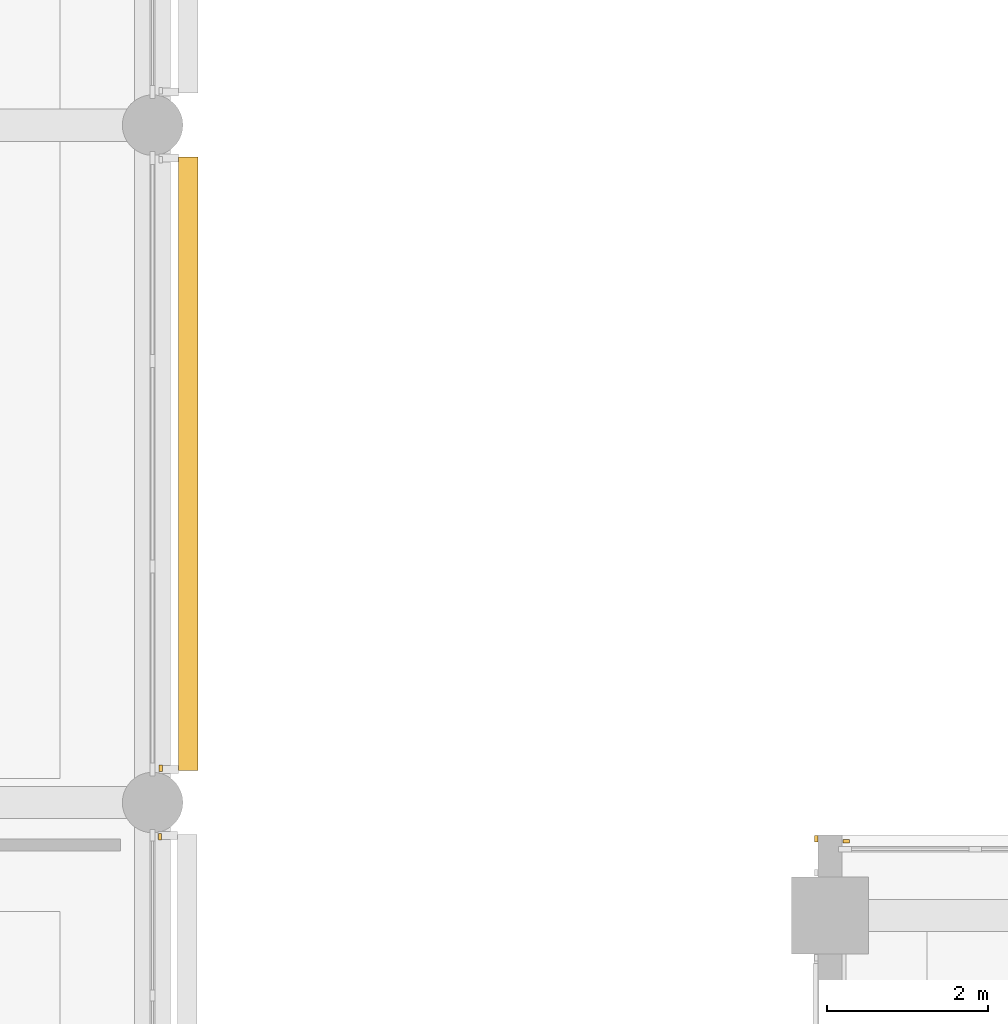
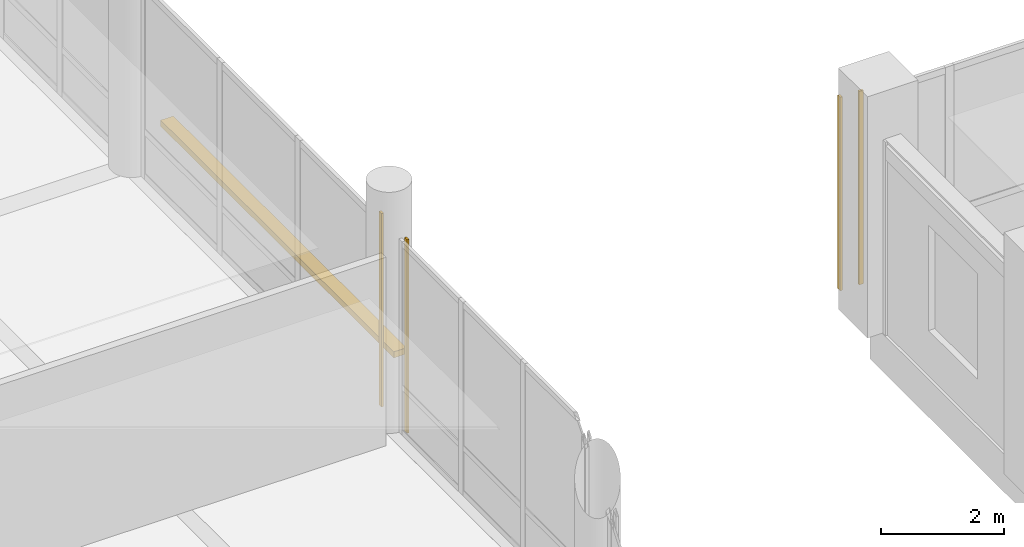
# One storey, part 106 of 122: 4 coverings, 1 shading device.
"""IFC4 building model written with IfcOpenShell, lengths in metres."""

from ifc_helpers import new_model, si_unit, direction, frame, origin, origin_2d, place, context, subcontext, project, spatial, rectangle, extrude, material, layer, layer_set, type_object, element, save


model = new_model("IFC4")

# Units and contexts
model_context = context("Model", 3, precision=1e-05, world=origin(), true_north=direction((0.0, 1.0)))
body_context = subcontext(model_context, "Body", "Model", "MODEL_VIEW")
ifc_project = project(units=[si_unit("LENGTHUNIT", "METRE"), si_unit("AREAUNIT", "SQUARE_METRE"), si_unit("VOLUMEUNIT", "CUBIC_METRE"), si_unit("PLANEANGLEUNIT", "RADIAN"), si_unit("MASSUNIT", "GRAM", prefix="KILO")], contexts=[model_context])

# Site, building, storey
site_placement = place(None, origin())
site = spatial("IfcSite", under=ifc_project, at=site_placement, CompositionType="ELEMENT")
building_placement = place(site_placement, origin())
building = spatial("IfcBuilding", under=site, at=building_placement, Name="Telukmera Botanical Conservatory", CompositionType="ELEMENT")
storey_placement = place(building_placement, frame((0.0, 0.0, 10.199951171875)))
storey = spatial("IfcBuildingStorey", under=building, at=storey_placement, Name="L02", CompositionType="ELEMENT", Elevation=10.199951171875)

# Coverings
ifc_material_1 = material(Name="Granite-faced precast concrete C40/50", Category="masonry")
ifc_layer_1 = layer(ifc_material_1, 0.0400390625)
ifc_layer_set_1 = layer_set([ifc_layer_1], Name="Granite-faced precast concrete C40/50")
covering_type = type_object("IfcCoveringType", Name="Granite Precast Column Pier Reveal Casing", PredefinedType="CLADDING", material=ifc_layer_set_1)
for number, where, z_axis, x_axis, name in (
    (1, (42.090087890625, 49.173095703125, 0.0), (0.0, 0.0, 1.0), (0.0, 1.0, 0.0), "Granite Pier Reveal V3:L02:E4 R"),
    (2, (42.10009765625, 50.027099609375, 0.0), (0.0, 0.0, 1.0), (0.0, 1.0, 0.0), "Granite Pier Reveal V3:L02:E5 L"),
    (3, (50.22998046875, 49.14990234375, 0.0), (0.0, 0.0, 1.0), (0.0, 1.0, 0.0), "Granite Pier Reveal V4:L02:NWC R"),
    (4, (50.60205078125, 49.1201171875, 0.0), (0.0, 0.0, 1.0), (1.0, 0.0, 0.0), "Granite Pier Reveal V4:L02:N1 L"),
):
    element("IfcCovering", number, at=place(storey_placement, frame(where, z_axis=z_axis, x_axis=x_axis)), inside=storey, type_object=covering_type, Name=name, PredefinedType="CLADDING", context=body_context, shape_type="SweptSolid", body=[
        extrude(rectangle(XDim=0.080078125, YDim=0.0400390625, at=origin_2d()), origin(), (0.0, 0.0, 1.0), 3.85009765625),
    ])

# Shading device
ifc_material_2 = material(Name="Perforated terracotta-anodised aluminium 6063-T6", Category="masonry")
ifc_layer_2 = layer(ifc_material_2, 0.044921875)
ifc_layer_set_2 = layer_set([ifc_layer_2], Name="Perforated terracotta-anodised aluminium 6063-T6")
shading_device_type = type_object("IfcShadingDeviceType", Name="Perforated Terracotta Aluminium Monsoon Brise Soleil", PredefinedType="JALOUSIE", material=ifc_layer_set_2)
shading_device_placement = place(storey_placement, frame((42.43994140625, 53.800048828125, 0.889892578125), z_axis=(0.0, 0.0, 1.0), x_axis=(0.0, 1.0, 0.0)))
element("IfcShadingDevice", 5, at=shading_device_placement, inside=storey, type_object=shading_device_type, Name="Monsoon Shading BS01 V3:L02:E5", PredefinedType="JALOUSIE", context=body_context, shape_type="SweptSolid", body=[
    extrude(rectangle(XDim=7.60595703125, YDim=0.239990234375, at=origin_2d()), origin(), (0.0, 0.0, 1.0), 0.1201171875),
])

save(model, "model.ifc")
